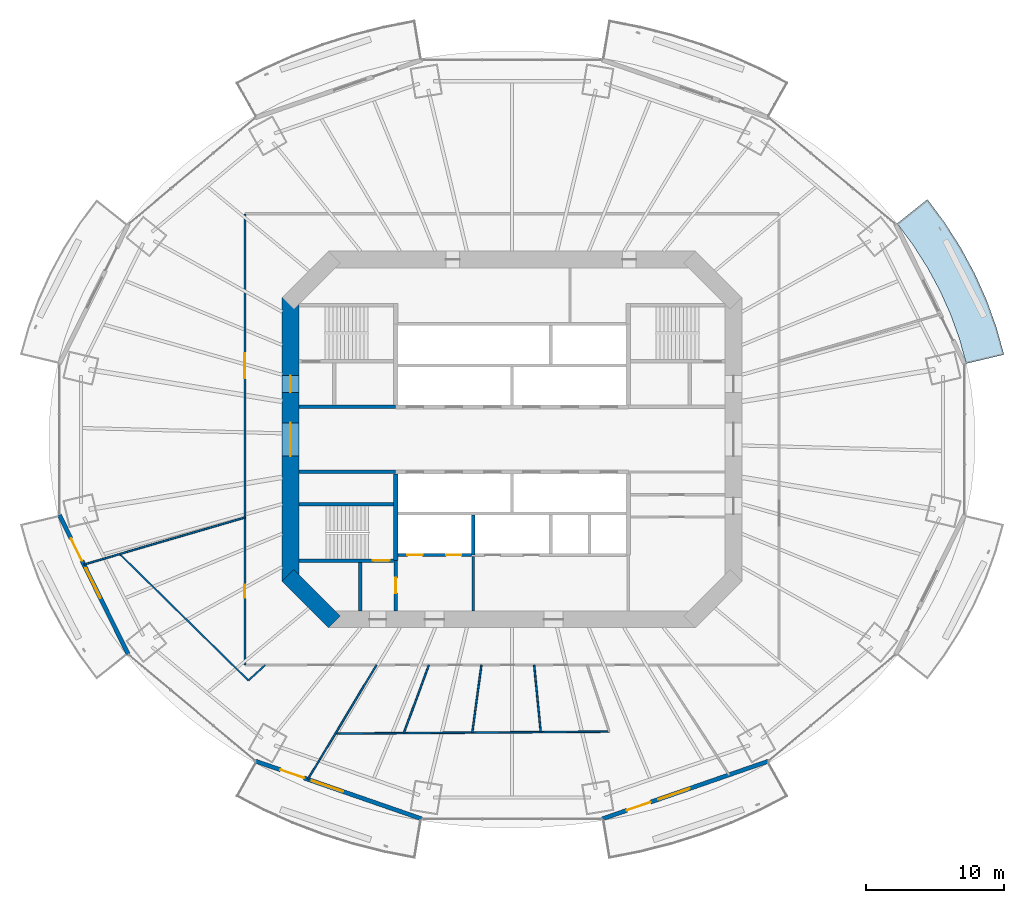
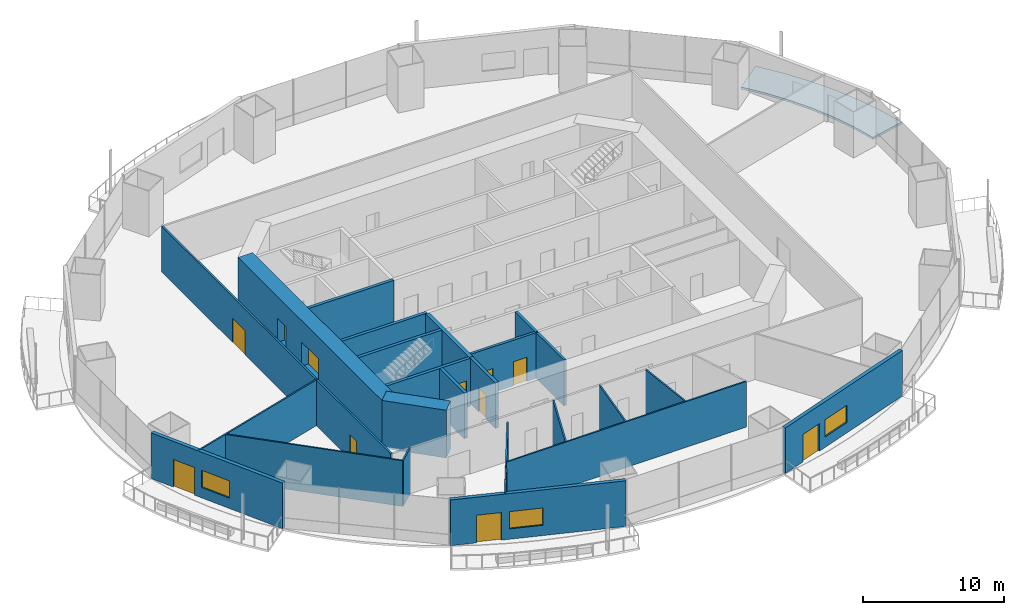
# One storey, part 12 of 20: 25 walls, 11 doors, 3 windows, 1 slab, 14 openings.
"""IFC4 building model written with IfcOpenShell, lengths in metres."""

from ifc_helpers import new_model, si_unit, direction, frame, frame_2d, origin, place, context, subcontext, project, spatial, polyline, rectangle, outline, extrude, material, layer, layer_set, type_object, element, fill, save


model = new_model("IFC4")

# Units and contexts
model_context = context("Model", 3, precision=1e-05, world=origin(), true_north=direction((0.0, 1.0)))
body_context = subcontext(model_context, "Body", "Model", "MODEL_VIEW")
ifc_project = project(units=[si_unit("LENGTHUNIT", "METRE"), si_unit("AREAUNIT", "SQUARE_METRE"), si_unit("VOLUMEUNIT", "CUBIC_METRE"), si_unit("PLANEANGLEUNIT", "RADIAN"), si_unit("MASSUNIT", "GRAM", prefix="KILO")], contexts=[model_context])

# Site, building, storey
site_placement = place(None, origin())
site = spatial("IfcSite", under=ifc_project, at=site_placement, CompositionType="ELEMENT")
building_placement = place(site_placement, origin())
building = spatial("IfcBuilding", under=site, at=building_placement, Name="Marenthal Gate Tower", CompositionType="ELEMENT")
storey_placement = place(building_placement, frame((0.0, 0.0, 132.60009765625)))
storey = spatial("IfcBuildingStorey", under=building, at=storey_placement, Name="L28", CompositionType="ELEMENT", Elevation=132.60009765625)

# Slab
ifc_material_1 = material(Name="Concrete 40 MPa", Category="concrete")
ifc_layer_1 = layer(ifc_material_1, 0.179931640625)
ifc_layer_set_1 = layer_set([ifc_layer_1], Name="Balcony deck 180")
slab_type = type_object("IfcSlabType", Name="Balcony deck 180", PredefinedType="USERDEFINED", material=ifc_layer_set_1)
slab_placement = place(storey_placement, frame((0.0, 0.0, -0.22021484375)))
element("IfcSlab", 1, at=slab_placement, inside=storey, type_object=slab_type, Name="Balcony deck L28 bay 1", ObjectType="BALCONY", PredefinedType="USERDEFINED", context=body_context, shape_type="SweptSolid", body=[
    extrude(outline(polyline([(32.819091796875, 5.4775390625), (32.32177734375, 7.266845703125), (31.686279296875, 9.025146484375), (30.914794921875, 10.74462890625), (30.01123046875, 12.418212890625), (28.97900390625, 14.03857421875), (27.822509765625, 15.5986328125), (30.012939453125, 17.343017578125), (31.28564453125, 15.625732421875), (32.425048828125, 13.8369140625), (33.425537109375, 11.984130859375), (34.28173828125, 10.0751953125), (34.989013671875, 8.11865234375), (35.54345703125, 6.12353515625), (32.819091796875, 5.4775390625)])), origin(), (0.0, 0.0, 1.0), 0.18017578125),
])

# Wall, openings, doors
ifc_material_2 = material(Name="Concrete 60 MPa", Category="concrete")
ifc_layer_2 = layer(ifc_material_2, 1.199951171875)
ifc_layer_set_2 = layer_set([ifc_layer_2], Name="Core shear wall 1200")
wall_type_1 = type_object("IfcWallType", Name="Core shear wall 1200", PredefinedType="SHEAR", material=ifc_layer_set_2)
wall_1_placement = place(storey_placement, frame((-16.0, 10.24853515625, -0.18017578125), z_axis=(0.0, 0.0, 1.0), x_axis=(0.0, -1.0, 0.0)))
wall_1 = element("IfcWall", 2, at=wall_1_placement, inside=storey, type_object=wall_type_1, Name="Core wall 06", PredefinedType="SHEAR", context=body_context, shape_type="SweptSolid", body=[
    extrude(rectangle(XDim=20.4970703125, YDim=1.199951171875, at=frame_2d((10.24853515625, 0.0))), origin(), (0.0, 0.0, 1.0), 4.150146484375),
])
opening_1_placement = place(wall_1_placement, frame((9.048583984375, 0.0, 0.179931640625)))
opening_1 = element("IfcOpeningElement", 3, at=opening_1_placement, cuts=wall_1, Name="Opening D003.01", PredefinedType="OPENING", context=body_context, shape_type="SweptSolid", body=[
    extrude(rectangle(XDim=2.39990234375, YDim=2.10009765625, at=frame_2d((1.199951171875, 1.050048828125))), frame((0.0, 0.60986328125, 0.0), z_axis=(0.0, -1.0, 0.0), x_axis=(1.0, 0.0, 0.0)), (0.0, 0.0, 1.0), 1.219970703125),
])
opening_2_placement = place(wall_1_placement, frame((5.6484375, 0.0, 0.179931640625)))
opening_2 = element("IfcOpeningElement", 4, at=opening_2_placement, cuts=wall_1, Name="Opening D001.04", PredefinedType="OPENING", context=body_context, shape_type="SweptSolid", body=[
    extrude(rectangle(XDim=1.199951171875, YDim=2.10009765625, at=frame_2d((0.60009765625, 1.050048828125))), frame((0.0, 0.60986328125, 0.0), z_axis=(0.0, -1.0, 0.0), x_axis=(1.0, 0.0, 0.0)), (0.0, 0.0, 1.0), 1.219970703125),
])
ifc_material_3 = material(Name="Steel fire door", Category="steel")
door_type_1 = type_object("IfcDoorType", Name="Double fire door FD 45 2400 x 2100", OperationType="DOUBLE_DOOR_SINGLE_SWING", PredefinedType="DOOR", material=ifc_material_3)
door_1_placement = place(opening_1_placement, origin())
door_1 = element("IfcDoor", 5, at=door_1_placement, inside=storey, type_object=door_type_1, Name="Door D003.01", OperationType="DOUBLE_DOOR_SINGLE_SWING", OverallHeight=2.10009765625, OverallWidth=2.39990234375, PredefinedType="DOOR", context=body_context, shape_type="SweptSolid", body=[
    extrude(rectangle(XDim=2.39990234375, YDim=2.10009765625, at=frame_2d((1.199951171875, 1.050048828125))), frame((0.0, 0.02490234375, 0.0), z_axis=(0.0, -1.0, 0.0), x_axis=(1.0, 0.0, 0.0)), (0.0, 0.0, 1.0), 0.050048828125),
])
fill(opening_1, door_1)
ifc_material_4 = material(Name="Steel fire door", Category="steel")
door_type_2 = type_object("IfcDoorType", Name="Fire door FD 90 1200 x 2100", OperationType="NOTDEFINED", PredefinedType="DOOR", material=ifc_material_4)
door_2_placement = place(opening_2_placement, origin())
door_2 = element("IfcDoor", 6, at=door_2_placement, inside=storey, type_object=door_type_2, Name="Door D001.04", OperationType="SINGLE_SWING_RIGHT", OverallHeight=2.10009765625, OverallWidth=1.199951171875, PredefinedType="DOOR", context=body_context, shape_type="SweptSolid", body=[
    extrude(rectangle(XDim=1.199951171875, YDim=2.10009765625, at=frame_2d((0.60009765625, 1.050048828125))), frame((0.0, 0.02490234375, 0.0), z_axis=(0.0, -1.0, 0.0), x_axis=(1.0, 0.0, 0.0)), (0.0, 0.0, 1.0), 0.050048828125),
])
fill(opening_2, door_2)

# Walls
wall_2_placement = place(storey_placement, frame((-16.17578125, -9.82421875, -0.18017578125), z_axis=(0.0, 0.0, 1.0), x_axis=(0.707106781187, -0.707106781187, 0.0)))
element("IfcWall", 7, at=wall_2_placement, inside=storey, type_object=wall_type_1, Name="Core wall 07", PredefinedType="SHEAR", context=body_context, shape_type="SweptSolid", body=[
    extrude(rectangle(XDim=4.73974609375, YDim=1.199951171875, at=frame_2d((2.369873046875, 0.0))), origin(), (0.0, 0.0, 1.0), 4.150146484375),
])
ifc_material_5 = material(Name="Gypsum board on steel studs", Category="steel")
ifc_layer_3 = layer(ifc_material_5, 0.199951171875)
ifc_layer_set_3 = layer_set([ifc_layer_3], Name="Fire lobby wall 200")
wall_type_2 = type_object("IfcWallType", Name="Fire lobby wall 200", PredefinedType="PARTITIONING", material=ifc_layer_set_3)
wall_3_placement = place(storey_placement, frame((-2.800048828125, -12.39990234375, 0.0), z_axis=(0.0, 0.0, 1.0), x_axis=(0.0, 1.0, 0.0)))
element("IfcWall", 8, at=wall_3_placement, inside=storey, type_object=wall_type_2, Name="Fire wall 34", PredefinedType="PARTITIONING", context=body_context, shape_type="SweptSolid", body=[
    extrude(rectangle(XDim=3.93994140625, YDim=0.199951171875, at=frame_2d((1.969970703125, 0.0))), origin(), (0.0, 0.0, 1.0), 3.969970703125),
])
ifc_material_6 = material(Name="Concrete 50 MPa", Category="concrete")
ifc_layer_4 = layer(ifc_material_6, 0.300048828125)
ifc_layer_set_4 = layer_set([ifc_layer_4], Name="Hoistway shear wall 300")
wall_type_3 = type_object("IfcWallType", Name="Hoistway shear wall 300", PredefinedType="SHEAR", material=ifc_layer_set_4)
wall_4_placement = place(storey_placement, frame((-8.39990234375, -8.75, -0.18017578125), z_axis=(0.0, 0.0, 1.0), x_axis=(0.0, 1.0, 0.0)))
element("IfcWall", 9, at=wall_4_placement, inside=storey, type_object=wall_type_3, Name="Hoistway wall 31", PredefinedType="SHEAR", context=body_context, shape_type="SweptSolid", body=[
    extrude(rectangle(XDim=6.25, YDim=0.300048828125, at=frame_2d((3.125, 0.0))), origin(), (0.0, 0.0, 1.0), 4.150146484375),
])

# Wall, openings, doors
ifc_material_7 = material(Name="Concrete 40 MPa", Category="concrete")
ifc_layer_5 = layer(ifc_material_7, 0.219970703125)
ifc_layer_set_5 = layer_set([ifc_layer_5], Name="Hoistway wall 220")
wall_type_4 = type_object("IfcWallType", Name="Hoistway wall 220", PredefinedType="STANDARD", material=ifc_layer_set_5)
wall_5_placement = place(storey_placement, frame((-8.25, -8.35009765625, 0.0), z_axis=(0.0, 0.0, 1.0), x_axis=(1.0, 0.0, 0.0)))
wall_5 = element("IfcWall", 10, at=wall_5_placement, inside=storey, type_object=wall_type_4, Name="Hoistway wall 10", PredefinedType="STANDARD", context=body_context, shape_type="SweptSolid", body=[
    extrude(rectangle(XDim=5.340087890625, YDim=0.219970703125, at=frame_2d((2.669921875, 0.0))), origin(), (0.0, 0.0, 1.0), 3.969970703125),
])
opening_3_placement = place(wall_5_placement, frame((0.699951171875, 0.0, 0.0)))
opening_3 = element("IfcOpeningElement", 11, at=opening_3_placement, cuts=wall_5, Name="Opening LD-LF1", PredefinedType="OPENING", context=body_context, shape_type="SweptSolid", body=[
    extrude(rectangle(XDim=1.10009765625, YDim=2.10009765625, at=frame_2d((0.550048828125, 1.050048828125))), frame((0.0, 0.1201171875, 0.0), z_axis=(0.0, -1.0, 0.0), x_axis=(1.0, 0.0, 0.0)), (0.0, 0.0, 1.0), 0.239990234375),
])
opening_4_placement = place(wall_5_placement, frame((3.5, 0.0, 0.0)))
opening_4 = element("IfcOpeningElement", 12, at=opening_4_placement, cuts=wall_5, Name="Opening LD-LF2", PredefinedType="OPENING", context=body_context, shape_type="SweptSolid", body=[
    extrude(rectangle(XDim=1.10009765625, YDim=2.10009765625, at=frame_2d((0.550048828125, 1.050048828125))), frame((0.0, 0.1201171875, 0.0), z_axis=(0.0, -1.0, 0.0), x_axis=(1.0, 0.0, 0.0)), (0.0, 0.0, 1.0), 0.239990234375),
])
ifc_material_8 = material(Name="Stainless steel sliding door", Category="steel")
door_type_3 = type_object("IfcDoorType", Name="Lift landing door FD 90 1100 x 2100", OperationType="DOUBLE_DOOR_SLIDING", PredefinedType="DOOR", material=ifc_material_8)
door_3_placement = place(opening_3_placement, origin())
door_3 = element("IfcDoor", 13, at=door_3_placement, inside=storey, type_object=door_type_3, Name="Lift landing door LF1", OperationType="DOUBLE_DOOR_SLIDING", OverallHeight=2.10009765625, OverallWidth=1.10009765625, PredefinedType="DOOR", context=body_context, shape_type="SweptSolid", body=[
    extrude(rectangle(XDim=1.10009765625, YDim=2.10009765625, at=frame_2d((0.550048828125, 1.050048828125))), frame((0.0, 0.02490234375, 0.0), z_axis=(0.0, -1.0, 0.0), x_axis=(1.0, 0.0, 0.0)), (0.0, 0.0, 1.0), 0.050048828125),
])
fill(opening_3, door_3)
door_4_placement = place(opening_4_placement, origin())
door_4 = element("IfcDoor", 14, at=door_4_placement, inside=storey, type_object=door_type_3, Name="Lift landing door LF2", OperationType="DOUBLE_DOOR_SLIDING", OverallHeight=2.10009765625, OverallWidth=1.10009765625, PredefinedType="DOOR", context=body_context, shape_type="SweptSolid", body=[
    extrude(rectangle(XDim=1.10009765625, YDim=2.10009765625, at=frame_2d((0.550048828125, 1.050048828125))), frame((0.0, 0.02490234375, 0.0), z_axis=(0.0, -1.0, 0.0), x_axis=(1.0, 0.0, 0.0)), (0.0, 0.0, 1.0), 0.050048828125),
])
fill(opening_4, door_4)

# Walls
wall_6_placement = place(storey_placement, frame((-2.800048828125, -8.35009765625, 0.0), z_axis=(0.0, 0.0, 1.0), x_axis=(0.0, 1.0, 0.0)))
element("IfcWall", 15, at=wall_6_placement, inside=storey, type_object=wall_type_4, Name="Hoistway wall 35", PredefinedType="STANDARD", context=body_context, shape_type="SweptSolid", body=[
    extrude(rectangle(XDim=2.89013671875, YDim=0.219970703125, at=frame_2d((1.445068359375, 0.0))), origin(), (0.0, 0.0, 1.0), 3.969970703125),
])
ifc_material_9 = material(Name="Gypsum board on steel studs", Category="steel")
ifc_layer_6 = layer(ifc_material_9, 0.1201171875)
ifc_layer_set_6 = layer_set([ifc_layer_6], Name="Partition 120")
wall_type_5 = type_object("IfcWallType", Name="Partition 120", PredefinedType="PARTITIONING", material=ifc_layer_set_6)
wall_7_placement = place(storey_placement, frame((-28.33935546875, -8.283203125, 0.0), z_axis=(0.0, 0.0, 1.0), x_axis=(0.713457191916, -0.700698819254, 0.0)))
element("IfcWall", 16, at=wall_7_placement, inside=storey, type_object=wall_type_5, Name="Partition wall 47", PredefinedType="PARTITIONING", context=body_context, shape_type="SweptSolid", body=[
    extrude(rectangle(XDim=13.031494140625, YDim=0.1201171875, at=frame_2d((6.515625, 0.0))), origin(), (0.0, 0.0, 1.0), 3.969970703125),
])
wall_8_placement = place(storey_placement, frame((-19.300048828125, -5.64111328125, 0.0), z_axis=(0.0, 0.0, 1.0), x_axis=(-0.959840289201, -0.280547000032, 0.0)))
element("IfcWall", 17, at=wall_8_placement, inside=storey, type_object=wall_type_5, Name="Partition wall 49", PredefinedType="PARTITIONING", context=body_context, shape_type="SweptSolid", body=[
    extrude(rectangle(XDim=12.1162109375, YDim=0.1201171875, at=frame_2d((6.05810546875, 0.0))), origin(), (0.0, 0.0, 1.0), 3.969970703125),
])
wall_9_placement = place(storey_placement, frame((-19.0419921875, -17.414306640625, 0.0), z_axis=(0.0, 0.0, 1.0), x_axis=(0.73796990182, 0.67483362691, 0.0)))
element("IfcWall", 18, at=wall_9_placement, inside=storey, type_object=wall_type_5, Name="Partition wall 51", PredefinedType="PARTITIONING", context=body_context, shape_type="SweptSolid", body=[
    extrude(rectangle(XDim=1.651123046875, YDim=0.1201171875, at=frame_2d((0.82568359375, 0.0))), origin(), (0.0, 0.0, 1.0), 3.969970703125),
])
wall_10_placement = place(storey_placement, frame((-12.761962890625, -21.254638671875, 0.0), z_axis=(0.0, 0.0, 1.0), x_axis=(0.999972864722, 0.007366805289, 0.0)))
element("IfcWall", 19, at=wall_10_placement, inside=storey, type_object=wall_type_5, Name="Partition wall 52", PredefinedType="PARTITIONING", context=body_context, shape_type="SweptSolid", body=[
    extrude(rectangle(XDim=19.784912109375, YDim=0.1201171875, at=frame_2d((9.892578125, 0.0))), origin(), (0.0, 0.0, 1.0), 3.969970703125),
])
wall_11_placement = place(storey_placement, frame((-9.787109375, -16.300048828125, 0.0), z_axis=(0.0, 0.0, 1.0), x_axis=(-0.514767791152, -0.857329645581, 0.0)))
element("IfcWall", 20, at=wall_11_placement, inside=storey, type_object=wall_type_5, Name="Partition wall 53", PredefinedType="PARTITIONING", context=body_context, shape_type="SweptSolid", body=[
    extrude(rectangle(XDim=7.91796875, YDim=0.1201171875, at=frame_2d((3.958984375, 0.0))), origin(), (0.0, 0.0, 1.0), 3.433837890625),
])
wall_12_placement = place(storey_placement, frame((-13.863037109375, -23.08837890625, 0.0), z_axis=(0.0, 0.0, 1.0), x_axis=(-0.514663331063, -0.85739235806, 0.0)))
element("IfcWall", 21, at=wall_12_placement, inside=storey, type_object=wall_type_5, Name="Partition wall 62", PredefinedType="PARTITIONING", context=body_context, shape_type="SweptSolid", body=[
    extrude(rectangle(XDim=1.7138671875, YDim=0.1201171875, at=frame_2d((0.85693359375, 0.0))), origin(), (0.0, 0.0, 1.0), 3.969970703125),
])
wall_13_placement = place(storey_placement, frame((-7.81591796875, -21.21826171875, 0.0), z_axis=(0.0, 0.0, 1.0), x_axis=(0.345670821163, 0.938355840498, 0.0)))
element("IfcWall", 22, at=wall_13_placement, inside=storey, type_object=wall_type_5, Name="Partition wall 54", PredefinedType="PARTITIONING", context=body_context, shape_type="SweptSolid", body=[
    extrude(rectangle(XDim=5.2412109375, YDim=0.1201171875, at=frame_2d((2.62060546875, 0.0))), origin(), (0.0, 0.0, 1.0), 3.969970703125),
])
wall_14_placement = place(storey_placement, frame((-2.86962890625, -21.181640625, 0.0), z_axis=(0.0, 0.0, 1.0), x_axis=(0.134257269098, 0.990946510007, 0.0)))
element("IfcWall", 23, at=wall_14_placement, inside=storey, type_object=wall_type_5, Name="Partition wall 55", PredefinedType="PARTITIONING", context=body_context, shape_type="SweptSolid", body=[
    extrude(rectangle(XDim=4.92626953125, YDim=0.1201171875, at=frame_2d((2.463134765625, 0.0))), origin(), (0.0, 0.0, 1.0), 3.969970703125),
])
wall_15_placement = place(storey_placement, frame((2.076416015625, -21.145263671875, 0.0), z_axis=(0.0, 0.0, 1.0), x_axis=(-0.097736013263, 0.99521237518, 0.0)))
element("IfcWall", 24, at=wall_15_placement, inside=storey, type_object=wall_type_5, Name="Partition wall 56", PredefinedType="PARTITIONING", context=body_context, shape_type="SweptSolid", body=[
    extrude(rectangle(XDim=4.868408203125, YDim=0.1201171875, at=frame_2d((2.43408203125, 0.0))), origin(), (0.0, 0.0, 1.0), 3.969970703125),
])

# Wall, openings, doors
ifc_material_10 = material(Name="Gypsum board on steel studs", Category="steel")
ifc_layer_7 = layer(ifc_material_10, 0.14990234375)
ifc_layer_set_7 = layer_set([ifc_layer_7], Name="Partition 150")
wall_type_6 = type_object("IfcWallType", Name="Partition 150", PredefinedType="PARTITIONING", material=ifc_layer_set_7)
wall_16_placement = place(storey_placement, frame((-19.300048828125, -16.300048828125, 0.0), z_axis=(0.0, 0.0, 1.0), x_axis=(0.0, 1.0, 0.0)))
wall_16 = element("IfcWall", 25, at=wall_16_placement, inside=storey, type_object=wall_type_6, Name="Partition wall 48", PredefinedType="PARTITIONING", context=body_context, shape_type="SweptSolid", body=[
    extrude(rectangle(XDim=32.60009765625, YDim=0.14990234375, at=frame_2d((16.300048828125, 0.0))), origin(), (0.0, 0.0, 1.0), 3.969970703125),
])
opening_5_placement = place(wall_16_placement, frame((20.72998046875, 0.0, 0.0)))
opening_5 = element("IfcOpeningElement", 26, at=opening_5_placement, cuts=wall_16, Name="Opening D014.01", PredefinedType="OPENING", context=body_context, shape_type="SweptSolid", body=[
    extrude(rectangle(XDim=1.800048828125, YDim=2.10009765625, at=frame_2d((0.89990234375, 1.050048828125))), frame((0.0, 0.0849609375, 0.0), z_axis=(0.0, -1.0, 0.0), x_axis=(1.0, 0.0, 0.0)), (0.0, 0.0, 1.0), 0.169921875),
])
opening_6_placement = place(wall_16_placement, frame((4.85498046875, 0.0, 0.0)))
opening_6 = element("IfcOpeningElement", 27, at=opening_6_placement, cuts=wall_16, Name="Opening D016.01", PredefinedType="OPENING", context=body_context, shape_type="SweptSolid", body=[
    extrude(rectangle(XDim=0.949951171875, YDim=2.10009765625, at=frame_2d((0.47509765625, 1.050048828125))), frame((0.0, 0.0849609375, 0.0), z_axis=(0.0, -1.0, 0.0), x_axis=(1.0, 0.0, 0.0)), (0.0, 0.0, 1.0), 0.169921875),
])
ifc_material_11 = material(Name="Timber door", Category="wood")
door_type_4 = type_object("IfcDoorType", Name="Door 950 x 2100", OperationType="NOTDEFINED", PredefinedType="DOOR", material=ifc_material_11)
door_5_placement = place(opening_6_placement, origin())
door_5 = element("IfcDoor", 28, at=door_5_placement, inside=storey, type_object=door_type_4, Name="Door D016.01", OperationType="SINGLE_SWING_RIGHT", OverallHeight=2.10009765625, OverallWidth=0.949951171875, PredefinedType="DOOR", context=body_context, shape_type="SweptSolid", body=[
    extrude(rectangle(XDim=0.949951171875, YDim=2.10009765625, at=frame_2d((0.47509765625, 1.050048828125))), frame((0.0, 0.02490234375, 0.0), z_axis=(0.0, -1.0, 0.0), x_axis=(1.0, 0.0, 0.0)), (0.0, 0.0, 1.0), 0.050048828125),
])
fill(opening_6, door_5)
ifc_material_12 = material(Name="Timber door", Category="wood")
door_type_5 = type_object("IfcDoorType", Name="Double door 1800 x 2100", OperationType="DOUBLE_DOOR_SINGLE_SWING", PredefinedType="DOOR", material=ifc_material_12)
door_6_placement = place(opening_5_placement, origin())
door_6 = element("IfcDoor", 29, at=door_6_placement, inside=storey, type_object=door_type_5, Name="Door D014.01", OperationType="DOUBLE_DOOR_SINGLE_SWING", OverallHeight=2.10009765625, OverallWidth=1.800048828125, PredefinedType="DOOR", context=body_context, shape_type="SweptSolid", body=[
    extrude(rectangle(XDim=1.800048828125, YDim=2.10009765625, at=frame_2d((0.89990234375, 1.050048828125))), frame((0.0, 0.02490234375, 0.0), z_axis=(0.0, -1.0, 0.0), x_axis=(1.0, 0.0, 0.0)), (0.0, 0.0, 1.0), 0.050048828125),
])
fill(opening_5, door_6)

# Walls
ifc_material_13 = material(Name="Concrete 40 MPa", Category="concrete")
ifc_layer_8 = layer(ifc_material_13, 0.25)
ifc_layer_set_8 = layer_set([ifc_layer_8], Name="Stair enclosure wall 250")
wall_type_7 = type_object("IfcWallType", Name="Stair enclosure wall 250", PredefinedType="STANDARD", material=ifc_layer_set_8)
for number, where, z_axis, x_axis, name in (
    (30, (-15.39990234375, -2.35009765625, 0.0), (0.0, 0.0, 1.0), (1.0, 0.0, 0.0), "Stair wall 16"),
    (31, (-15.39990234375, 2.35009765625, 0.0), (0.0, 0.0, 1.0), (1.0, 0.0, 0.0), "Stair wall 19"),
):
    element("IfcWall", number, at=place(storey_placement, frame(where, z_axis=z_axis, x_axis=x_axis)), inside=storey, type_object=wall_type_7, Name=name, PredefinedType="STANDARD", context=body_context, shape_type="SweptSolid", body=[
        extrude(rectangle(XDim=7.0, YDim=0.25, at=frame_2d((3.5, 0.0))), origin(), (0.0, 0.0, 1.0), 3.969970703125),
    ])
wall_17_placement = place(storey_placement, frame((-10.949951171875, -12.39990234375, 0.0), z_axis=(0.0, 0.0, 1.0), x_axis=(0.0, 1.0, 0.0)))
element("IfcWall", 32, at=wall_17_placement, inside=storey, type_object=wall_type_7, Name="Stair wall 29", PredefinedType="STANDARD", context=body_context, shape_type="SweptSolid", body=[
    extrude(rectangle(XDim=3.52490234375, YDim=0.25, at=frame_2d((1.762451171875, 0.0))), origin(), (0.0, 0.0, 1.0), 3.969970703125),
])

# Wall, opening, door
wall_18_placement = place(storey_placement, frame((-8.39990234375, -12.39990234375, 0.0), z_axis=(0.0, 0.0, 1.0), x_axis=(0.0, 1.0, 0.0)))
wall_18 = element("IfcWall", 33, at=wall_18_placement, inside=storey, type_object=wall_type_7, Name="Stair wall 30", PredefinedType="STANDARD", context=body_context, shape_type="SweptSolid", body=[
    extrude(rectangle(XDim=3.64990234375, YDim=0.25, at=frame_2d((1.824951171875, 0.0))), origin(), (0.0, 0.0, 1.0), 3.969970703125),
])
opening_7_placement = place(wall_18_placement, frame((1.300048828125, 0.0, 0.0)))
opening_7 = element("IfcOpeningElement", 34, at=opening_7_placement, cuts=wall_18, Name="Opening D002.01", PredefinedType="OPENING", context=body_context, shape_type="SweptSolid", body=[
    extrude(rectangle(XDim=1.10009765625, YDim=2.10009765625, at=frame_2d((0.550048828125, 1.050048828125))), frame((0.0, 0.135009765625, 0.0), z_axis=(0.0, -1.0, 0.0), x_axis=(1.0, 0.0, 0.0)), (0.0, 0.0, 1.0), 0.27001953125),
])
ifc_material_14 = material(Name="Steel fire door", Category="steel")
door_type_6 = type_object("IfcDoorType", Name="Fire door FD 90 1100 x 2100", OperationType="NOTDEFINED", PredefinedType="DOOR", material=ifc_material_14)
door_7_placement = place(opening_7_placement, origin())
door_7 = element("IfcDoor", 35, at=door_7_placement, inside=storey, type_object=door_type_6, Name="Door D002.01", OperationType="SINGLE_SWING_RIGHT", OverallHeight=2.10009765625, OverallWidth=1.10009765625, PredefinedType="DOOR", context=body_context, shape_type="SweptSolid", body=[
    extrude(rectangle(XDim=1.10009765625, YDim=2.10009765625, at=frame_2d((0.550048828125, 1.050048828125))), frame((0.0, 0.02490234375, 0.0), z_axis=(0.0, -1.0, 0.0), x_axis=(1.0, 0.0, 0.0)), (0.0, 0.0, 1.0), 0.050048828125),
])
fill(opening_7, door_7)

ifc_material_15 = material(Name="Concrete 50 MPa", Category="concrete")
ifc_layer_9 = layer(ifc_material_15, 0.25)
ifc_layer_set_9 = layer_set([ifc_layer_9], Name="Stair shear wall 250")
wall_type_8 = type_object("IfcWallType", Name="Stair shear wall 250", PredefinedType="SHEAR", material=ifc_layer_set_9)
wall_19_placement = place(storey_placement, frame((-15.39990234375, -8.75, -0.18017578125), z_axis=(0.0, 0.0, 1.0), x_axis=(1.0, 0.0, 0.0)))
wall_19 = element("IfcWall", 36, at=wall_19_placement, inside=storey, type_object=wall_type_8, Name="Stair wall 09", PredefinedType="SHEAR", context=body_context, shape_type="SweptSolid", body=[
    extrude(rectangle(XDim=6.849853515625, YDim=0.25, at=frame_2d((3.4248046875, 0.0))), origin(), (0.0, 0.0, 1.0), 4.150146484375),
])
opening_8_placement = place(wall_19_placement, frame((5.35009765625, 0.0, 0.179931640625)))
opening_8 = element("IfcOpeningElement", 37, at=opening_8_placement, cuts=wall_19, Name="Opening D001.03", PredefinedType="OPENING", context=body_context, shape_type="SweptSolid", body=[
    extrude(rectangle(XDim=1.199951171875, YDim=2.10009765625, at=frame_2d((0.60009765625, 1.050048828125))), frame((0.0, 0.135009765625, 0.0), z_axis=(0.0, -1.0, 0.0), x_axis=(1.0, 0.0, 0.0)), (0.0, 0.0, 1.0), 0.27001953125),
])
door_8_placement = place(opening_8_placement, origin())
door_8 = element("IfcDoor", 38, at=door_8_placement, inside=storey, type_object=door_type_2, Name="Door D001.03", OperationType="SINGLE_SWING_RIGHT", OverallHeight=2.10009765625, OverallWidth=1.199951171875, PredefinedType="DOOR", context=body_context, shape_type="SweptSolid", body=[
    extrude(rectangle(XDim=1.199951171875, YDim=2.10009765625, at=frame_2d((0.60009765625, 1.050048828125))), frame((0.0, 0.02490234375, 0.0), z_axis=(0.0, -1.0, 0.0), x_axis=(1.0, 0.0, 0.0)), (0.0, 0.0, 1.0), 0.050048828125),
])
fill(opening_8, door_8)

# Wall
wall_20_placement = place(storey_placement, frame((-15.39990234375, -4.699951171875, -0.18017578125), z_axis=(0.0, 0.0, 1.0), x_axis=(1.0, 0.0, 0.0)))
element("IfcWall", 39, at=wall_20_placement, inside=storey, type_object=wall_type_8, Name="Stair wall 14", PredefinedType="SHEAR", context=body_context, shape_type="SweptSolid", body=[
    extrude(rectangle(XDim=6.849853515625, YDim=0.25, at=frame_2d((3.4248046875, 0.0))), origin(), (0.0, 0.0, 1.0), 4.150146484375),
])

# Wall, openings, door, window
ifc_material_16 = material(Name="Terracotta cladding on insulated concrete-block backing", Category="masonry")
ifc_layer_10 = layer(ifc_material_16, 0.300048828125)
ifc_layer_set_10 = layer_set([ifc_layer_10], Name="Terracotta facade wall 300")
wall_type_9 = type_object("IfcWallType", Name="Terracotta facade wall 300", PredefinedType="SOLIDWALL", material=ifc_layer_set_10)
wall_21_placement = place(storey_placement, frame((-32.701416015625, -5.4541015625, 0.0), z_axis=(0.0, 0.0, 1.0), x_axis=(0.442899302783, -0.896571362243, 0.0)))
wall_21 = element("IfcWall", 40, at=wall_21_placement, inside=storey, type_object=wall_type_9, Name="Terracotta facade wall L28 bay 9", PredefinedType="SOLIDWALL", context=body_context, shape_type="SweptSolid", body=[
    extrude(rectangle(XDim=11.24072265625, YDim=0.300048828125, at=frame_2d((5.620361328125, 0.0))), origin(), (0.0, 0.0, 1.0), 3.969970703125),
])
opening_9_placement = place(wall_21_placement, frame((1.89990234375, 0.0, 0.0)))
opening_9 = element("IfcOpeningElement", 41, at=opening_9_placement, cuts=wall_21, Name="Opening BD-L28-09", PredefinedType="OPENING", context=body_context, shape_type="SweptSolid", body=[
    extrude(rectangle(XDim=1.800048828125, YDim=2.39990234375, at=frame_2d((0.89990234375, 1.199951171875))), frame((0.0, 0.16015625, 0.0), z_axis=(0.0, -1.0, 0.0), x_axis=(1.0, 0.0, 0.0)), (0.0, 0.0, 1.0), 0.320068359375),
])
opening_10_placement = place(wall_21_placement, frame((4.300048828125, 0.0, 0.89990234375)))
opening_10 = element("IfcOpeningElement", 42, at=opening_10_placement, cuts=wall_21, Name="Opening WN1-L28-09", PredefinedType="OPENING", context=body_context, shape_type="SweptSolid", body=[
    extrude(rectangle(XDim=2.39990234375, YDim=1.5, at=frame_2d((1.199951171875, 0.75))), frame((0.0, 0.16015625, 0.0), z_axis=(0.0, -1.0, 0.0), x_axis=(1.0, 0.0, 0.0)), (0.0, 0.0, 1.0), 0.320068359375),
])
ifc_material_17 = material(Name="Aluminium and glass", Category="aluminium")
door_type_7 = type_object("IfcDoorType", Name="Balcony door 1800x2400", OperationType="DOUBLE_DOOR_SINGLE_SWING", PredefinedType="DOOR", material=ifc_material_17)
door_9_placement = place(opening_9_placement, origin())
door_9 = element("IfcDoor", 43, at=door_9_placement, inside=storey, type_object=door_type_7, Name="Balcony door L28 bay 9", OperationType="SINGLE_SWING_LEFT", OverallHeight=2.39990234375, OverallWidth=1.800048828125, PredefinedType="DOOR", context=body_context, shape_type="SweptSolid", body=[
    extrude(rectangle(XDim=1.800048828125, YDim=2.39990234375, at=frame_2d((0.89990234375, 1.199951171875))), frame((0.0, 0.02490234375, 0.0), z_axis=(0.0, -1.0, 0.0), x_axis=(1.0, 0.0, 0.0)), (0.0, 0.0, 1.0), 0.050048828125),
])
fill(opening_9, door_9)
ifc_material_18 = material(Name="Aluminium and glass", Category="aluminium")
window_type = type_object("IfcWindowType", Name="Window 2400x1500", PartitioningType="TRIPLE_PANEL_VERTICAL", PredefinedType="WINDOW", material=ifc_material_18)
window_1_placement = place(opening_10_placement, origin())
window_1 = element("IfcWindow", 44, at=window_1_placement, inside=storey, type_object=window_type, Name="Window L28 bay 9", OverallHeight=1.5, OverallWidth=2.39990234375, PartitioningType="SINGLE_PANEL", PredefinedType="WINDOW", context=body_context, shape_type="SweptSolid", body=[
    extrude(rectangle(XDim=2.39990234375, YDim=1.5, at=frame_2d((1.199951171875, 0.75))), frame((0.0, 0.030029296875, 0.0), z_axis=(0.0, -1.0, 0.0), x_axis=(1.0, 0.0, 0.0)), (0.0, 0.0, 1.0), 0.06005859375),
])
fill(opening_10, window_1)

wall_22_placement = place(storey_placement, frame((-18.523681640625, -23.245361328125, 0.0), z_axis=(0.0, 0.0, 1.0), x_axis=(0.944642444618, -0.328101587661, 0.0)))
wall_22 = element("IfcWall", 45, at=wall_22_placement, inside=storey, type_object=wall_type_9, Name="Terracotta facade wall L28 bay 11", PredefinedType="SOLIDWALL", context=body_context, shape_type="SweptSolid", body=[
    extrude(rectangle(XDim=12.723388671875, YDim=0.300048828125, at=frame_2d((6.36181640625, 0.0))), origin(), (0.0, 0.0, 1.0), 3.969970703125),
])
opening_11_placement = place(wall_22_placement, frame((1.89990234375, 0.0, 0.0)))
opening_11 = element("IfcOpeningElement", 46, at=opening_11_placement, cuts=wall_22, Name="Opening BD-L28-11", PredefinedType="OPENING", context=body_context, shape_type="SweptSolid", body=[
    extrude(rectangle(XDim=1.800048828125, YDim=2.39990234375, at=frame_2d((0.89990234375, 1.199951171875))), frame((0.0, 0.16015625, 0.0), z_axis=(0.0, -1.0, 0.0), x_axis=(1.0, 0.0, 0.0)), (0.0, 0.0, 1.0), 0.320068359375),
])
opening_12_placement = place(wall_22_placement, frame((4.300048828125, 0.0, 0.89990234375)))
opening_12 = element("IfcOpeningElement", 47, at=opening_12_placement, cuts=wall_22, Name="Opening WN1-L28-11", PredefinedType="OPENING", context=body_context, shape_type="SweptSolid", body=[
    extrude(rectangle(XDim=2.39990234375, YDim=1.5, at=frame_2d((1.199951171875, 0.75))), frame((0.0, 0.16015625, 0.0), z_axis=(0.0, -1.0, 0.0), x_axis=(1.0, 0.0, 0.0)), (0.0, 0.0, 1.0), 0.320068359375),
])
door_10_placement = place(opening_11_placement, origin())
door_10 = element("IfcDoor", 48, at=door_10_placement, inside=storey, type_object=door_type_7, Name="Balcony door L28 bay 11", OperationType="SINGLE_SWING_LEFT", OverallHeight=2.39990234375, OverallWidth=1.800048828125, PredefinedType="DOOR", context=body_context, shape_type="SweptSolid", body=[
    extrude(rectangle(XDim=1.800048828125, YDim=2.39990234375, at=frame_2d((0.89990234375, 1.199951171875))), frame((0.0, 0.02490234375, 0.0), z_axis=(0.0, -1.0, 0.0), x_axis=(1.0, 0.0, 0.0)), (0.0, 0.0, 1.0), 0.050048828125),
])
fill(opening_11, door_10)
window_2_placement = place(opening_12_placement, origin())
window_2 = element("IfcWindow", 49, at=window_2_placement, inside=storey, type_object=window_type, Name="Window L28 bay 11", OverallHeight=1.5, OverallWidth=2.39990234375, PartitioningType="SINGLE_PANEL", PredefinedType="WINDOW", context=body_context, shape_type="SweptSolid", body=[
    extrude(rectangle(XDim=2.39990234375, YDim=1.5, at=frame_2d((1.199951171875, 0.75))), frame((0.0, 0.030029296875, 0.0), z_axis=(0.0, -1.0, 0.0), x_axis=(1.0, 0.0, 0.0)), (0.0, 0.0, 1.0), 0.06005859375),
])
fill(opening_12, window_2)

wall_23_placement = place(storey_placement, frame((6.504638671875, -27.419921875, 0.0), z_axis=(0.0, 0.0, 1.0), x_axis=(0.944644510201, 0.32809564055, 0.0)))
wall_23 = element("IfcWall", 50, at=wall_23_placement, inside=storey, type_object=wall_type_9, Name="Terracotta facade wall L28 bay 13", PredefinedType="SOLIDWALL", context=body_context, shape_type="SweptSolid", body=[
    extrude(rectangle(XDim=12.7236328125, YDim=0.300048828125, at=frame_2d((6.36181640625, 0.0))), origin(), (0.0, 0.0, 1.0), 3.969970703125),
])
opening_13_placement = place(wall_23_placement, frame((1.89990234375, 0.0, 0.0)))
opening_13 = element("IfcOpeningElement", 51, at=opening_13_placement, cuts=wall_23, Name="Opening BD-L28-13", PredefinedType="OPENING", context=body_context, shape_type="SweptSolid", body=[
    extrude(rectangle(XDim=1.800048828125, YDim=2.39990234375, at=frame_2d((0.89990234375, 1.199951171875))), frame((0.0, 0.16015625, 0.0), z_axis=(0.0, -1.0, 0.0), x_axis=(1.0, 0.0, 0.0)), (0.0, 0.0, 1.0), 0.320068359375),
])
opening_14_placement = place(wall_23_placement, frame((4.300048828125, 0.0, 0.89990234375)))
opening_14 = element("IfcOpeningElement", 52, at=opening_14_placement, cuts=wall_23, Name="Opening WN1-L28-13", PredefinedType="OPENING", context=body_context, shape_type="SweptSolid", body=[
    extrude(rectangle(XDim=2.39990234375, YDim=1.5, at=frame_2d((1.199951171875, 0.75))), frame((0.0, 0.16015625, 0.0), z_axis=(0.0, -1.0, 0.0), x_axis=(1.0, 0.0, 0.0)), (0.0, 0.0, 1.0), 0.320068359375),
])
door_11_placement = place(opening_13_placement, origin())
door_11 = element("IfcDoor", 53, at=door_11_placement, inside=storey, type_object=door_type_7, Name="Balcony door L28 bay 13", OperationType="SINGLE_SWING_LEFT", OverallHeight=2.39990234375, OverallWidth=1.800048828125, PredefinedType="DOOR", context=body_context, shape_type="SweptSolid", body=[
    extrude(rectangle(XDim=1.800048828125, YDim=2.39990234375, at=frame_2d((0.89990234375, 1.199951171875))), frame((0.0, 0.02490234375, 0.0), z_axis=(0.0, -1.0, 0.0), x_axis=(1.0, 0.0, 0.0)), (0.0, 0.0, 1.0), 0.050048828125),
])
fill(opening_13, door_11)
window_3_placement = place(opening_14_placement, origin())
window_3 = element("IfcWindow", 54, at=window_3_placement, inside=storey, type_object=window_type, Name="Window L28 bay 13", OverallHeight=1.5, OverallWidth=2.39990234375, PartitioningType="SINGLE_PANEL", PredefinedType="WINDOW", context=body_context, shape_type="SweptSolid", body=[
    extrude(rectangle(XDim=2.39990234375, YDim=1.5, at=frame_2d((1.199951171875, 0.75))), frame((0.0, 0.030029296875, 0.0), z_axis=(0.0, -1.0, 0.0), x_axis=(1.0, 0.0, 0.0)), (0.0, 0.0, 1.0), 0.06005859375),
])
fill(opening_14, window_3)

save(model, "model.ifc")
